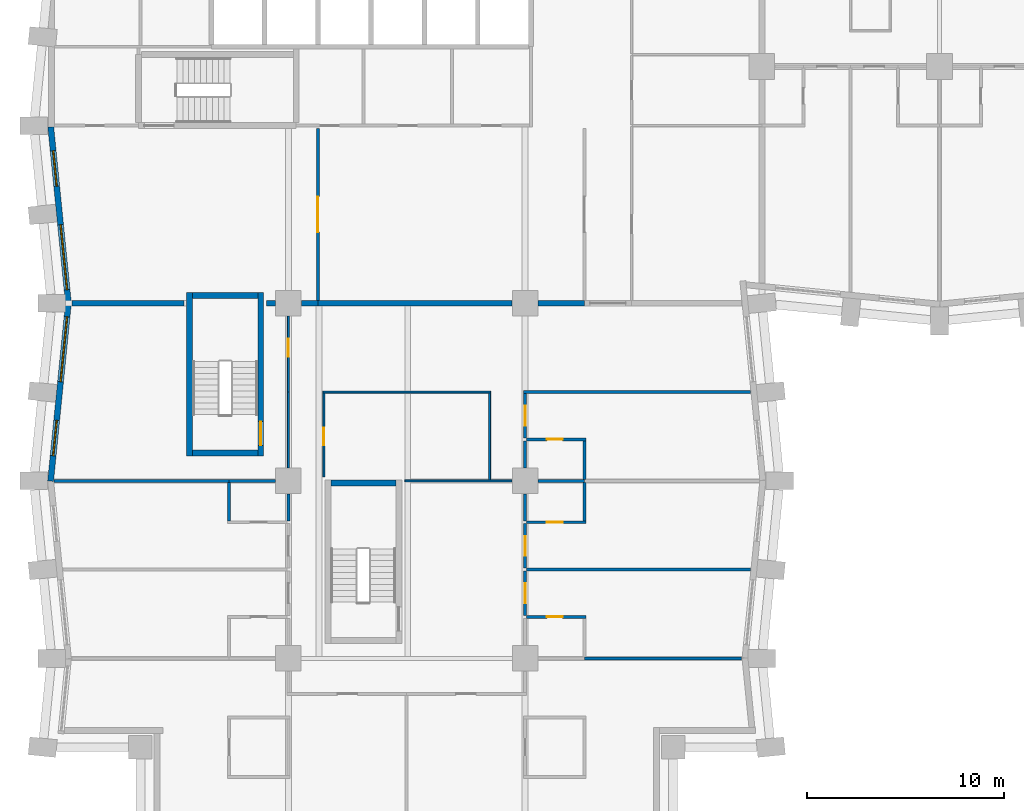
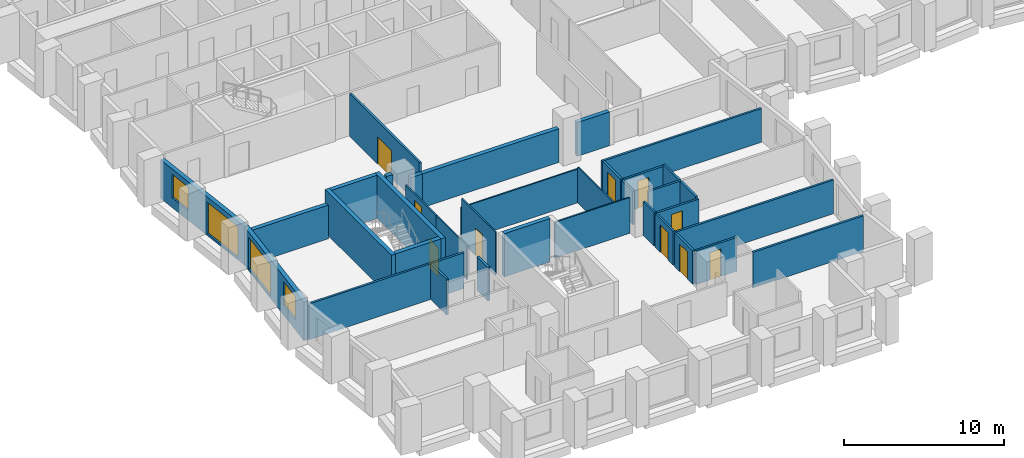
# One storey, part 4 of 13: 37 walls, 10 doors, 4 windows, 14 openings.
"""IFC4 building model written with IfcOpenShell, lengths in metres."""

from ifc_helpers import new_model, si_unit, direction, frame, frame_2d, origin, place, context, subcontext, project, spatial, rectangle, extrude, material, layer, layer_set, type_object, element, fill, save


model = new_model("IFC4")

# Units and contexts
model_context = context("Model", 3, precision=1e-05, world=origin(), true_north=direction((0.0, 1.0)))
body_context = subcontext(model_context, "Body", "Model", "MODEL_VIEW")
ifc_project = project(units=[si_unit("LENGTHUNIT", "METRE"), si_unit("AREAUNIT", "SQUARE_METRE"), si_unit("VOLUMEUNIT", "CUBIC_METRE"), si_unit("PLANEANGLEUNIT", "RADIAN"), si_unit("MASSUNIT", "GRAM", prefix="KILO")], contexts=[model_context])

# Site, building, storey
site_placement = place(None, origin())
site = spatial("IfcSite", under=ifc_project, at=site_placement, CompositionType="ELEMENT")
building_placement = place(site_placement, origin())
building = spatial("IfcBuilding", under=site, at=building_placement, Name="Brondeck Convention Tower", CompositionType="ELEMENT")
storey_placement = place(building_placement, frame((0.0, 0.0, 44.699951171875)))
storey = spatial("IfcBuildingStorey", under=building, at=storey_placement, Name="L08", CompositionType="ELEMENT", Elevation=44.699951171875)

# Walls
ifc_material_1 = material(Name="Concrete compartment wall C30/37", Category="concrete")
ifc_layer_1 = layer(ifc_material_1, 0.300048828125)
ifc_layer_set_1 = layer_set([ifc_layer_1], Name="Compartment wall 300")
wall_type_1 = type_object("IfcWallType", Name="Compartment wall 300", PredefinedType="PARTITIONING", material=ifc_layer_set_1)
wall_1_placement = place(storey_placement, frame((6.699951171875, 27.0, 0.0), z_axis=(0.0, 0.0, 1.0), x_axis=(-1.0, 0.0, 0.0)))
element("IfcWall", 1, at=wall_1_placement, inside=storey, type_object=wall_type_1, Name="FLR-L08-W051", PredefinedType="PARTITIONING", context=body_context, shape_type="SweptSolid", body=[
    extrude(rectangle(XDim=5.675048828125, YDim=0.300048828125, at=frame_2d((2.83740234375, 0.0))), origin(), (0.0, 0.0, 1.0), 2.580078125),
])
wall_2_placement = place(storey_placement, frame((11.344970703125, 27.0, 0.0), z_axis=(0.0, 0.0, 1.0), x_axis=(-1.0, 0.0, 0.0)))
element("IfcWall", 2, at=wall_2_placement, inside=storey, type_object=wall_type_1, Name="FLR-L08-W052", PredefinedType="PARTITIONING", context=body_context, shape_type="SweptSolid", body=[
    extrude(rectangle(XDim=0.445068359375, YDim=0.300048828125, at=frame_2d((0.22265625, 0.0))), origin(), (0.0, 0.0, 1.0), 3.280029296875),
])
wall_3_placement = place(storey_placement, frame((13.5, 27.0, 0.0), z_axis=(0.0, 0.0, 1.0), x_axis=(-1.0, 0.0, 0.0)))
element("IfcWall", 3, at=wall_3_placement, inside=storey, type_object=wall_type_1, Name="FLR-L08-W053", PredefinedType="PARTITIONING", context=body_context, shape_type="SweptSolid", body=[
    extrude(rectangle(XDim=0.844970703125, YDim=0.300048828125, at=frame_2d((0.42236328125, 0.0))), origin(), (0.0, 0.0, 1.0), 2.580078125),
])
wall_4_placement = place(storey_placement, frame((23.344970703125, 27.0, 0.0), z_axis=(0.0, 0.0, 1.0), x_axis=(-1.0, 0.0, 0.0)))
element("IfcWall", 4, at=wall_4_placement, inside=storey, type_object=wall_type_1, Name="FLR-L08-W054", PredefinedType="PARTITIONING", context=body_context, shape_type="SweptSolid", body=[
    extrude(rectangle(XDim=9.844970703125, YDim=0.300048828125, at=frame_2d((4.92236328125, 0.0))), origin(), (0.0, 0.0, 1.0), 2.580078125),
])
wall_5_placement = place(storey_placement, frame((27.0, 27.0, 0.0), z_axis=(0.0, 0.0, 1.0), x_axis=(-1.0, 0.0, 0.0)))
element("IfcWall", 5, at=wall_5_placement, inside=storey, type_object=wall_type_1, Name="FLR-L08-W055", PredefinedType="PARTITIONING", context=body_context, shape_type="SweptSolid", body=[
    extrude(rectangle(XDim=2.344970703125, YDim=0.300048828125, at=frame_2d((1.17236328125, 0.0))), origin(), (0.0, 0.0, 1.0), 2.580078125),
])

# Wall, openings, windows
ifc_material_2 = material(Name="Precast concrete C50/60 bronze finish", Category="concrete")
ifc_layer_2 = layer(ifc_material_2, 0.070068359375, Name="Bronze precast facing")
ifc_material_3 = material(Name="Mineral wool")
ifc_layer_3 = layer(ifc_material_3, 0.159912109375, Name="Insulation")
ifc_material_4 = material(Name="Concrete C35/45", Category="concrete")
ifc_layer_4 = layer(ifc_material_4, 0.070068359375, Name="Backing")
ifc_layer_set_2 = layer_set([ifc_layer_2, ifc_layer_3, ifc_layer_4], Name="External infill wall, precast concrete C50/60 bronze facing")
wall_type_2 = type_object("IfcWallType", Name="External infill wall, precast concrete C50/60 bronze facing", PredefinedType="SOLIDWALL", material=ifc_layer_set_2)
wall_6_placement = place(storey_placement, frame((0.855712890625, 26.985107421875, 0.0), z_axis=(0.0, 0.0, 1.0), x_axis=(-0.099503719021, 0.99503719021, 0.0)))
wall_6 = element("IfcWall", 6, at=wall_6_placement, inside=storey, type_object=wall_type_2, Name="ENV-EW-L08-P0-B-W-06", PredefinedType="SOLIDWALL", context=body_context, shape_type="SweptSolid", body=[
    extrude(rectangle(XDim=8.994873046875, YDim=0.300048828125, at=frame_2d((4.49755859375, 0.0))), origin(), (0.0, 0.0, 1.0), 2.949951171875),
])
opening_1_placement = place(wall_6_placement, frame((0.711181640625, 0.0, 0.14990234375)))
opening_1 = element("IfcOpeningElement", 7, at=opening_1_placement, cuts=wall_6, Name="Opening W9", PredefinedType="OPENING", context=body_context, shape_type="SweptSolid", body=[
    extrude(rectangle(XDim=3.300048828125, YDim=2.39990234375, at=frame_2d((1.64990234375, 1.199951171875))), frame((0.0, 0.159912109375, 0.0), z_axis=(0.0, -1.0, 0.0), x_axis=(1.0, 0.0, 0.0)), (0.0, 0.0, 1.0), 0.320068359375),
])
opening_2_placement = place(wall_6_placement, frame((5.983642578125, 0.0, 0.75)))
opening_2 = element("IfcOpeningElement", 8, at=opening_2_placement, cuts=wall_6, Name="Opening W10", PredefinedType="OPENING", context=body_context, shape_type="SweptSolid", body=[
    extrude(rectangle(XDim=1.800048828125, YDim=1.800048828125, at=frame_2d((0.89990234375, 0.89990234375))), frame((0.0, 0.159912109375, 0.0), z_axis=(0.0, -1.0, 0.0), x_axis=(1.0, 0.0, 0.0)), (0.0, 0.0, 1.0), 0.320068359375),
])
ifc_material_5 = material(Name="Bronze tinted double glazing", Category="glass")
window_type_1 = type_object("IfcWindowType", Name="Glazed flute window, bronze tinted", PartitioningType="SINGLE_PANEL", PredefinedType="WINDOW", material=ifc_material_5)
window_1_placement = place(opening_1_placement, origin())
window_1 = element("IfcWindow", 9, at=window_1_placement, inside=storey, type_object=window_type_1, Name="ENV-WN-L08-P0-B-W-07", OverallHeight=2.39990234375, OverallWidth=3.300048828125, PartitioningType="SINGLE_PANEL", PredefinedType="WINDOW", context=body_context, shape_type="SweptSolid", body=[
    extrude(rectangle(XDim=3.300048828125, YDim=2.39990234375, at=frame_2d((1.64990234375, 1.199951171875))), frame((0.0, 0.030029296875, 0.0), z_axis=(0.0, -1.0, 0.0), x_axis=(1.0, 0.0, 0.0)), (0.0, 0.0, 1.0), 0.06005859375),
])
fill(opening_1, window_1)
window_type_2 = type_object("IfcWindowType", Name="Punched window, bronze tinted", PartitioningType="SINGLE_PANEL", PredefinedType="WINDOW", material=ifc_material_5)
window_2_placement = place(opening_2_placement, origin())
window_2 = element("IfcWindow", 10, at=window_2_placement, inside=storey, type_object=window_type_2, Name="ENV-WN-L08-P0-B-W-06", OverallHeight=1.800048828125, OverallWidth=1.800048828125, PartitioningType="SINGLE_PANEL", PredefinedType="WINDOW", context=body_context, shape_type="SweptSolid", body=[
    extrude(rectangle(XDim=1.800048828125, YDim=1.800048828125, at=frame_2d((0.89990234375, 0.89990234375))), frame((0.0, 0.030029296875, 0.0), z_axis=(0.0, -1.0, 0.0), x_axis=(1.0, 0.0, 0.0)), (0.0, 0.0, 1.0), 0.06005859375),
])
fill(opening_2, window_2)

wall_7_placement = place(storey_placement, frame((-0.04736328125, 17.985107421875, 0.0), z_axis=(0.0, 0.0, 1.0), x_axis=(0.099522457379, 0.995035316196, 0.0)))
wall_7 = element("IfcWall", 11, at=wall_7_placement, inside=storey, type_object=wall_type_2, Name="ENV-EW-L08-P0-B-W-08", PredefinedType="SOLIDWALL", context=body_context, shape_type="SweptSolid", body=[
    extrude(rectangle(XDim=9.030029296875, YDim=0.300048828125, at=frame_2d((4.51513671875, 0.0))), origin(), (0.0, 0.0, 1.0), 2.949951171875),
])
opening_3_placement = place(wall_7_placement, frame((1.291259765625, 0.0, 0.75)))
opening_3 = element("IfcOpeningElement", 12, at=opening_3_placement, cuts=wall_7, Name="Opening W10", PredefinedType="OPENING", context=body_context, shape_type="SweptSolid", body=[
    extrude(rectangle(XDim=1.800048828125, YDim=1.800048828125, at=frame_2d((0.89990234375, 0.89990234375))), frame((0.0, 0.159912109375, 0.0), z_axis=(0.0, -1.0, 0.0), x_axis=(1.0, 0.0, 0.0)), (0.0, 0.0, 1.0), 0.320068359375),
])
opening_4_placement = place(wall_7_placement, frame((5.063720703125, 0.0, 0.14990234375)))
opening_4 = element("IfcOpeningElement", 13, at=opening_4_placement, cuts=wall_7, Name="Opening W9", PredefinedType="OPENING", context=body_context, shape_type="SweptSolid", body=[
    extrude(rectangle(XDim=3.300048828125, YDim=2.39990234375, at=frame_2d((1.64990234375, 1.199951171875))), frame((0.0, 0.159912109375, 0.0), z_axis=(0.0, -1.0, 0.0), x_axis=(1.0, 0.0, 0.0)), (0.0, 0.0, 1.0), 0.320068359375),
])
window_3_placement = place(opening_4_placement, origin())
window_3 = element("IfcWindow", 14, at=window_3_placement, inside=storey, type_object=window_type_1, Name="ENV-WN-L08-P0-B-W-08", OverallHeight=2.39990234375, OverallWidth=3.300048828125, PartitioningType="SINGLE_PANEL", PredefinedType="WINDOW", context=body_context, shape_type="SweptSolid", body=[
    extrude(rectangle(XDim=3.300048828125, YDim=2.39990234375, at=frame_2d((1.64990234375, 1.199951171875))), frame((0.0, 0.030029296875, 0.0), z_axis=(0.0, -1.0, 0.0), x_axis=(1.0, 0.0, 0.0)), (0.0, 0.0, 1.0), 0.06005859375),
])
fill(opening_4, window_3)
window_4_placement = place(opening_3_placement, origin())
window_4 = element("IfcWindow", 15, at=window_4_placement, inside=storey, type_object=window_type_2, Name="ENV-WN-L08-P0-B-W-09", OverallHeight=1.800048828125, OverallWidth=1.800048828125, PartitioningType="SINGLE_PANEL", PredefinedType="WINDOW", context=body_context, shape_type="SweptSolid", body=[
    extrude(rectangle(XDim=1.800048828125, YDim=1.800048828125, at=frame_2d((0.89990234375, 0.89990234375))), frame((0.0, 0.030029296875, 0.0), z_axis=(0.0, -1.0, 0.0), x_axis=(1.0, 0.0, 0.0)), (0.0, 0.0, 1.0), 0.06005859375),
])
fill(opening_3, window_4)

# Wall
ifc_material_6 = material(Name="Double gypsum board acoustic wall")
ifc_layer_5 = layer(ifc_material_6, 0.14990234375)
ifc_layer_set_3 = layer_set([ifc_layer_5], Name="Guest room party wall 150")
wall_type_3 = type_object("IfcWallType", Name="Guest room party wall 150", PredefinedType="PARTITIONING", material=ifc_layer_set_3)
wall_8_placement = place(storey_placement, frame((34.97509765625, 9.0, 0.0), z_axis=(0.0, 0.0, 1.0), x_axis=(-1.0, 0.0, 0.0)))
element("IfcWall", 16, at=wall_8_placement, inside=storey, type_object=wall_type_3, Name="FLR-L08-W017", PredefinedType="PARTITIONING", context=body_context, shape_type="SweptSolid", body=[
    extrude(rectangle(XDim=7.97509765625, YDim=0.14990234375, at=frame_2d((3.987548828125, 0.0))), origin(), (0.0, 0.0, 1.0), 2.72998046875),
])

# Wall, opening, door
wall_9_placement = place(storey_placement, frame((27.074951171875, 11.10009765625, 0.0), z_axis=(0.0, 0.0, 1.0), x_axis=(-1.0, 0.0, 0.0)))
wall_9 = element("IfcWall", 17, at=wall_9_placement, inside=storey, type_object=wall_type_3, Name="FLR-L08-W023", PredefinedType="PARTITIONING", context=body_context, shape_type="SweptSolid", body=[
    extrude(rectangle(XDim=3.0, YDim=0.14990234375, at=frame_2d((1.5, 0.0))), origin(), (0.0, 0.0, 1.0), 2.580078125),
])
opening_5_placement = place(wall_9_placement, frame((1.175048828125, 0.0, 0.0)))
opening_5 = element("IfcOpeningElement", 18, at=opening_5_placement, cuts=wall_9, Name="Opening H1-040", PredefinedType="OPENING", context=body_context, shape_type="SweptSolid", body=[
    extrude(rectangle(XDim=0.800048828125, YDim=2.10009765625, at=frame_2d((0.39990234375, 1.050048828125))), frame((0.0, 0.0849609375, 0.0), z_axis=(0.0, -1.0, 0.0), x_axis=(1.0, 0.0, 0.0)), (0.0, 0.0, 1.0), 0.169921875),
])
ifc_material_7 = material(Name="Solid timber door leaf", Category="wood")
door_type_1 = type_object("IfcDoorType", Name="En-suite door 800", OperationType="NOTDEFINED", PredefinedType="DOOR", material=ifc_material_7)
door_1_placement = place(opening_5_placement, origin())
door_1 = element("IfcDoor", 19, at=door_1_placement, inside=storey, type_object=door_type_1, Name="Door H1-040", OperationType="SINGLE_SWING_LEFT", OverallHeight=2.10009765625, OverallWidth=0.800048828125, PredefinedType="DOOR", context=body_context, shape_type="SweptSolid", body=[
    extrude(rectangle(XDim=0.800048828125, YDim=2.10009765625, at=frame_2d((0.39990234375, 1.050048828125))), frame((0.0, 0.02490234375, 0.0), z_axis=(0.0, -1.0, 0.0), x_axis=(1.0, 0.0, 0.0)), (0.0, 0.0, 1.0), 0.050048828125),
])
fill(opening_5, door_1)

wall_10_placement = place(storey_placement, frame((24.0, 13.425048828125, 0.0), z_axis=(0.0, 0.0, 1.0), x_axis=(0.0, -1.0, 0.0)))
wall_10 = element("IfcWall", 20, at=wall_10_placement, inside=storey, type_object=wall_type_3, Name="FLR-L08-W025", PredefinedType="PARTITIONING", context=body_context, shape_type="SweptSolid", body=[
    extrude(rectangle(XDim=2.25, YDim=0.14990234375, at=frame_2d((1.125, 0.0))), origin(), (0.0, 0.0, 1.0), 2.580078125),
])
opening_6_placement = place(wall_10_placement, frame((0.625, 0.0, 0.0)))
opening_6 = element("IfcOpeningElement", 21, at=opening_6_placement, cuts=wall_10, Name="Opening H1-039", PredefinedType="OPENING", context=body_context, shape_type="SweptSolid", body=[
    extrude(rectangle(XDim=1.0, YDim=2.10009765625, at=frame_2d((0.5, 1.050048828125))), frame((0.0, 0.0849609375, 0.0), z_axis=(0.0, -1.0, 0.0), x_axis=(1.0, 0.0, 0.0)), (0.0, 0.0, 1.0), 0.169921875),
])
ifc_material_8 = material(Name="Solid timber fire door leaf", Category="wood")
door_type_2 = type_object("IfcDoorType", Name="Guest room door 1000", OperationType="NOTDEFINED", PredefinedType="DOOR", material=ifc_material_8)
door_2_placement = place(opening_6_placement, origin())
door_2 = element("IfcDoor", 22, at=door_2_placement, inside=storey, type_object=door_type_2, Name="Door H1-039", OperationType="SINGLE_SWING_LEFT", OverallHeight=2.10009765625, OverallWidth=1.0, PredefinedType="DOOR", context=body_context, shape_type="SweptSolid", body=[
    extrude(rectangle(XDim=1.0, YDim=2.10009765625, at=frame_2d((0.5, 1.050048828125))), frame((0.0, 0.02490234375, 0.0), z_axis=(0.0, -1.0, 0.0), x_axis=(1.0, 0.0, 0.0)), (0.0, 0.0, 1.0), 0.050048828125),
])
fill(opening_6, door_2)

# Wall
wall_11_placement = place(storey_placement, frame((35.425048828125, 13.5, 0.0), z_axis=(0.0, 0.0, 1.0), x_axis=(-1.0, 0.0, 0.0)))
element("IfcWall", 23, at=wall_11_placement, inside=storey, type_object=wall_type_3, Name="FLR-L08-W027", PredefinedType="PARTITIONING", context=body_context, shape_type="SweptSolid", body=[
    extrude(rectangle(XDim=11.35009765625, YDim=0.14990234375, at=frame_2d((5.675048828125, 0.0))), origin(), (0.0, 0.0, 1.0), 2.580078125),
])

# Wall, opening, door
wall_12_placement = place(storey_placement, frame((24.0, 15.824951171875, 0.0), z_axis=(0.0, 0.0, 1.0), x_axis=(0.0, -1.0, 0.0)))
wall_12 = element("IfcWall", 24, at=wall_12_placement, inside=storey, type_object=wall_type_3, Name="FLR-L08-W029", PredefinedType="PARTITIONING", context=body_context, shape_type="SweptSolid", body=[
    extrude(rectangle(XDim=2.25, YDim=0.14990234375, at=frame_2d((1.125, 0.0))), origin(), (0.0, 0.0, 1.0), 2.580078125),
])
opening_7_placement = place(wall_12_placement, frame((0.625, 0.0, 0.0)))
opening_7 = element("IfcOpeningElement", 25, at=opening_7_placement, cuts=wall_12, Name="Opening H1-037", PredefinedType="OPENING", context=body_context, shape_type="SweptSolid", body=[
    extrude(rectangle(XDim=1.0, YDim=2.10009765625, at=frame_2d((0.5, 1.050048828125))), frame((0.0, 0.0849609375, 0.0), z_axis=(0.0, -1.0, 0.0), x_axis=(1.0, 0.0, 0.0)), (0.0, 0.0, 1.0), 0.169921875),
])
door_3_placement = place(opening_7_placement, origin())
door_3 = element("IfcDoor", 26, at=door_3_placement, inside=storey, type_object=door_type_2, Name="Door H1-037", OperationType="SINGLE_SWING_LEFT", OverallHeight=2.10009765625, OverallWidth=1.0, PredefinedType="DOOR", context=body_context, shape_type="SweptSolid", body=[
    extrude(rectangle(XDim=1.0, YDim=2.10009765625, at=frame_2d((0.5, 1.050048828125))), frame((0.0, 0.02490234375, 0.0), z_axis=(0.0, -1.0, 0.0), x_axis=(1.0, 0.0, 0.0)), (0.0, 0.0, 1.0), 0.050048828125),
])
fill(opening_7, door_3)

wall_13_placement = place(storey_placement, frame((24.074951171875, 15.89990234375, 0.0), z_axis=(0.0, 0.0, 1.0), x_axis=(1.0, 0.0, 0.0)))
wall_13 = element("IfcWall", 27, at=wall_13_placement, inside=storey, type_object=wall_type_3, Name="FLR-L08-W031", PredefinedType="PARTITIONING", context=body_context, shape_type="SweptSolid", body=[
    extrude(rectangle(XDim=3.0, YDim=0.14990234375, at=frame_2d((1.5, 0.0))), origin(), (0.0, 0.0, 1.0), 2.580078125),
])
opening_8_placement = place(wall_13_placement, frame((1.02490234375, 0.0, 0.0)))
opening_8 = element("IfcOpeningElement", 28, at=opening_8_placement, cuts=wall_13, Name="Opening H1-038", PredefinedType="OPENING", context=body_context, shape_type="SweptSolid", body=[
    extrude(rectangle(XDim=0.800048828125, YDim=2.10009765625, at=frame_2d((0.39990234375, 1.050048828125))), frame((0.0, 0.0849609375, 0.0), z_axis=(0.0, -1.0, 0.0), x_axis=(1.0, 0.0, 0.0)), (0.0, 0.0, 1.0), 0.169921875),
])
door_4_placement = place(opening_8_placement, origin())
door_4 = element("IfcDoor", 29, at=door_4_placement, inside=storey, type_object=door_type_1, Name="Door H1-038", OperationType="SINGLE_SWING_LEFT", OverallHeight=2.10009765625, OverallWidth=0.800048828125, PredefinedType="DOOR", context=body_context, shape_type="SweptSolid", body=[
    extrude(rectangle(XDim=0.800048828125, YDim=2.10009765625, at=frame_2d((0.39990234375, 1.050048828125))), frame((0.0, 0.02490234375, 0.0), z_axis=(0.0, -1.0, 0.0), x_axis=(1.0, 0.0, 0.0)), (0.0, 0.0, 1.0), 0.050048828125),
])
fill(opening_8, door_4)

# Walls
wall_14_placement = place(storey_placement, frame((12.0, 15.97509765625, 0.0), z_axis=(0.0, 0.0, 1.0), x_axis=(0.0, 1.0, 0.0)))
element("IfcWall", 30, at=wall_14_placement, inside=storey, type_object=wall_type_3, Name="FLR-L08-W032", PredefinedType="PARTITIONING", context=body_context, shape_type="SweptSolid", body=[
    extrude(rectangle(XDim=1.369873046875, YDim=0.14990234375, at=frame_2d((0.68505859375, 0.0))), origin(), (0.0, 0.0, 1.0), 2.580078125),
])
wall_15_placement = place(storey_placement, frame((27.0, 15.97509765625, 0.0), z_axis=(0.0, 0.0, 1.0), x_axis=(0.0, 1.0, 0.0)))
element("IfcWall", 31, at=wall_15_placement, inside=storey, type_object=wall_type_3, Name="FLR-L08-W033", PredefinedType="PARTITIONING", context=body_context, shape_type="SweptSolid", body=[
    extrude(rectangle(XDim=1.949951171875, YDim=0.14990234375, at=frame_2d((0.97509765625, 0.0))), origin(), (0.0, 0.0, 1.0), 2.72998046875),
])
wall_16_placement = place(storey_placement, frame((24.0, 17.344970703125, 0.0), z_axis=(0.0, 0.0, 1.0), x_axis=(0.0, -1.0, 0.0)))
element("IfcWall", 32, at=wall_16_placement, inside=storey, type_object=wall_type_3, Name="FLR-L08-W034", PredefinedType="PARTITIONING", context=body_context, shape_type="SweptSolid", body=[
    extrude(rectangle(XDim=1.369873046875, YDim=0.14990234375, at=frame_2d((0.68505859375, 0.0))), origin(), (0.0, 0.0, 1.0), 2.580078125),
])
wall_17_placement = place(storey_placement, frame((9.0, 17.925048828125, 0.0), z_axis=(0.0, 0.0, 1.0), x_axis=(0.0, -1.0, 0.0)))
element("IfcWall", 33, at=wall_17_placement, inside=storey, type_object=wall_type_3, Name="FLR-L08-W035", PredefinedType="PARTITIONING", context=body_context, shape_type="SweptSolid", body=[
    extrude(rectangle(XDim=1.949951171875, YDim=0.14990234375, at=frame_2d((0.97509765625, 0.0))), origin(), (0.0, 0.0, 1.0), 2.72998046875),
])
wall_18_placement = place(storey_placement, frame((9.0, 18.0, 0.0), z_axis=(0.0, 0.0, 1.0), x_axis=(-1.0, 0.0, 0.0)))
element("IfcWall", 34, at=wall_18_placement, inside=storey, type_object=wall_type_3, Name="FLR-L08-W036", PredefinedType="PARTITIONING", context=body_context, shape_type="SweptSolid", body=[
    extrude(rectangle(XDim=8.875, YDim=0.14990234375, at=frame_2d((4.4375, 0.0))), origin(), (0.0, 0.0, 1.0), 2.72998046875),
])
for number, where, z_axis, x_axis, name in (
    (35, (11.344970703125, 18.0, 0.0), (0.0, 0.0, 1.0), (-1.0, 0.0, 0.0), "FLR-L08-W037"),
    (36, (27.0, 18.0, 0.0), (0.0, 0.0, 1.0), (-1.0, 0.0, 0.0), "FLR-L08-W039"),
):
    element("IfcWall", number, at=place(storey_placement, frame(where, z_axis=z_axis, x_axis=x_axis)), inside=storey, type_object=wall_type_3, Name=name, PredefinedType="PARTITIONING", context=body_context, shape_type="SweptSolid", body=[
        extrude(rectangle(XDim=2.344970703125, YDim=0.14990234375, at=frame_2d((1.17236328125, 0.0))), origin(), (0.0, 0.0, 1.0), 2.72998046875),
    ])
wall_19_placement = place(storey_placement, frame((27.0, 18.074951171875, 0.0), z_axis=(0.0, 0.0, 1.0), x_axis=(0.0, 1.0, 0.0)))
element("IfcWall", 37, at=wall_19_placement, inside=storey, type_object=wall_type_3, Name="FLR-L08-W042", PredefinedType="PARTITIONING", context=body_context, shape_type="SweptSolid", body=[
    extrude(rectangle(XDim=1.949951171875, YDim=0.14990234375, at=frame_2d((0.97509765625, 0.0))), origin(), (0.0, 0.0, 1.0), 2.72998046875),
])
wall_20_placement = place(storey_placement, frame((24.0, 20.02490234375, 0.0), z_axis=(0.0, 0.0, 1.0), x_axis=(0.0, -1.0, 0.0)))
element("IfcWall", 38, at=wall_20_placement, inside=storey, type_object=wall_type_3, Name="FLR-L08-W043", PredefinedType="PARTITIONING", context=body_context, shape_type="SweptSolid", body=[
    extrude(rectangle(XDim=1.369873046875, YDim=0.14990234375, at=frame_2d((0.68505859375, 0.0))), origin(), (0.0, 0.0, 1.0), 2.580078125),
])

# Wall, opening, door
wall_21_placement = place(storey_placement, frame((27.074951171875, 20.10009765625, 0.0), z_axis=(0.0, 0.0, 1.0), x_axis=(-1.0, 0.0, 0.0)))
wall_21 = element("IfcWall", 39, at=wall_21_placement, inside=storey, type_object=wall_type_3, Name="FLR-L08-W044", PredefinedType="PARTITIONING", context=body_context, shape_type="SweptSolid", body=[
    extrude(rectangle(XDim=3.0, YDim=0.14990234375, at=frame_2d((1.5, 0.0))), origin(), (0.0, 0.0, 1.0), 2.580078125),
])
opening_9_placement = place(wall_21_placement, frame((1.175048828125, 0.0, 0.0)))
opening_9 = element("IfcOpeningElement", 40, at=opening_9_placement, cuts=wall_21, Name="Opening H1-036", PredefinedType="OPENING", context=body_context, shape_type="SweptSolid", body=[
    extrude(rectangle(XDim=0.800048828125, YDim=2.10009765625, at=frame_2d((0.39990234375, 1.050048828125))), frame((0.0, 0.0849609375, 0.0), z_axis=(0.0, -1.0, 0.0), x_axis=(1.0, 0.0, 0.0)), (0.0, 0.0, 1.0), 0.169921875),
])
door_5_placement = place(opening_9_placement, origin())
door_5 = element("IfcDoor", 41, at=door_5_placement, inside=storey, type_object=door_type_1, Name="Door H1-036", OperationType="SINGLE_SWING_LEFT", OverallHeight=2.10009765625, OverallWidth=0.800048828125, PredefinedType="DOOR", context=body_context, shape_type="SweptSolid", body=[
    extrude(rectangle(XDim=0.800048828125, YDim=2.10009765625, at=frame_2d((0.39990234375, 1.050048828125))), frame((0.0, 0.02490234375, 0.0), z_axis=(0.0, -1.0, 0.0), x_axis=(1.0, 0.0, 0.0)), (0.0, 0.0, 1.0), 0.050048828125),
])
fill(opening_9, door_5)

wall_22_placement = place(storey_placement, frame((24.0, 22.425048828125, 0.0), z_axis=(0.0, 0.0, 1.0), x_axis=(0.0, -1.0, 0.0)))
wall_22 = element("IfcWall", 42, at=wall_22_placement, inside=storey, type_object=wall_type_3, Name="FLR-L08-W045", PredefinedType="PARTITIONING", context=body_context, shape_type="SweptSolid", body=[
    extrude(rectangle(XDim=2.25, YDim=0.14990234375, at=frame_2d((1.125, 0.0))), origin(), (0.0, 0.0, 1.0), 2.580078125),
])
opening_10_placement = place(wall_22_placement, frame((0.625, 0.0, 0.0)))
opening_10 = element("IfcOpeningElement", 43, at=opening_10_placement, cuts=wall_22, Name="Opening H1-035", PredefinedType="OPENING", context=body_context, shape_type="SweptSolid", body=[
    extrude(rectangle(XDim=1.0, YDim=2.10009765625, at=frame_2d((0.5, 1.050048828125))), frame((0.0, 0.0849609375, 0.0), z_axis=(0.0, -1.0, 0.0), x_axis=(1.0, 0.0, 0.0)), (0.0, 0.0, 1.0), 0.169921875),
])
door_6_placement = place(opening_10_placement, origin())
door_6 = element("IfcDoor", 44, at=door_6_placement, inside=storey, type_object=door_type_2, Name="Door H1-035", OperationType="SINGLE_SWING_LEFT", OverallHeight=2.10009765625, OverallWidth=1.0, PredefinedType="DOOR", context=body_context, shape_type="SweptSolid", body=[
    extrude(rectangle(XDim=1.0, YDim=2.10009765625, at=frame_2d((0.5, 1.050048828125))), frame((0.0, 0.02490234375, 0.0), z_axis=(0.0, -1.0, 0.0), x_axis=(1.0, 0.0, 0.0)), (0.0, 0.0, 1.0), 0.050048828125),
])
fill(opening_10, door_6)

# Wall
wall_23_placement = place(storey_placement, frame((35.425048828125, 22.5, 0.0), z_axis=(0.0, 0.0, 1.0), x_axis=(-1.0, 0.0, 0.0)))
element("IfcWall", 45, at=wall_23_placement, inside=storey, type_object=wall_type_3, Name="FLR-L08-W050", PredefinedType="PARTITIONING", context=body_context, shape_type="SweptSolid", body=[
    extrude(rectangle(XDim=11.5, YDim=0.14990234375, at=frame_2d((5.75, 0.0))), origin(), (0.0, 0.0, 1.0), 2.580078125),
])

# Wall, opening, door
wall_24_placement = place(storey_placement, frame((13.5, 27.14990234375, 0.0), z_axis=(0.0, 0.0, 1.0), x_axis=(0.0, 1.0, 0.0)))
wall_24 = element("IfcWall", 46, at=wall_24_placement, inside=storey, type_object=wall_type_3, Name="FLR-L08-W059", PredefinedType="PARTITIONING", context=body_context, shape_type="SweptSolid", body=[
    extrude(rectangle(XDim=8.7001953125, YDim=0.14990234375, at=frame_2d((4.35009765625, 0.0))), origin(), (0.0, 0.0, 1.0), 3.280029296875),
])
opening_11_placement = place(wall_24_placement, frame((3.449951171875, 0.0, 0.0)))
opening_11 = element("IfcOpeningElement", 47, at=opening_11_placement, cuts=wall_24, Name="Opening H1-053", PredefinedType="OPENING", context=body_context, shape_type="SweptSolid", body=[
    extrude(rectangle(XDim=1.800048828125, YDim=2.10009765625, at=frame_2d((0.89990234375, 1.050048828125))), frame((0.0, 0.0849609375, 0.0), z_axis=(0.0, -1.0, 0.0), x_axis=(1.0, 0.0, 0.0)), (0.0, 0.0, 1.0), 0.169921875),
])
ifc_material_9 = material(Name="Glazed timber double door", Category="wood")
door_type_3 = type_object("IfcDoorType", Name="Double door 1800", OperationType="DOUBLE_DOOR_SINGLE_SWING", PredefinedType="DOOR", material=ifc_material_9)
door_7_placement = place(opening_11_placement, origin())
door_7 = element("IfcDoor", 48, at=door_7_placement, inside=storey, type_object=door_type_3, Name="Door H1-053", OperationType="DOUBLE_DOOR_SINGLE_SWING", OverallHeight=2.10009765625, OverallWidth=1.800048828125, PredefinedType="DOOR", context=body_context, shape_type="SweptSolid", body=[
    extrude(rectangle(XDim=1.800048828125, YDim=2.10009765625, at=frame_2d((0.89990234375, 1.050048828125))), frame((0.0, 0.02490234375, 0.0), z_axis=(0.0, -1.0, 0.0), x_axis=(1.0, 0.0, 0.0)), (0.0, 0.0, 1.0), 0.050048828125),
])
fill(opening_11, door_7)

# Walls
ifc_material_10 = material(Name="Gypsum board partition on steel studs", Category="steel")
ifc_layer_6 = layer(ifc_material_10, 0.10009765625)
ifc_layer_set_4 = layer_set([ifc_layer_6], Name="Room partition 100")
wall_type_4 = type_object("IfcWallType", Name="Room partition 100", PredefinedType="PARTITIONING", material=ifc_layer_set_4)
wall_25_placement = place(storey_placement, frame((23.330078125, 18.0, 0.0), z_axis=(0.0, 0.0, 1.0), x_axis=(-1.0, 0.0, 0.0)))
element("IfcWall", 49, at=wall_25_placement, inside=storey, type_object=wall_type_4, Name="FLR-L08-W038", PredefinedType="PARTITIONING", context=body_context, shape_type="SweptSolid", body=[
    extrude(rectangle(XDim=5.43017578125, YDim=0.10009765625, at=frame_2d((2.715087890625, 0.0))), origin(), (0.0, 0.0, 1.0), 2.72998046875),
])
wall_26_placement = place(storey_placement, frame((22.199951171875, 18.050048828125, 0.0), z_axis=(0.0, 0.0, 1.0), x_axis=(0.0, 1.0, 0.0)))
element("IfcWall", 50, at=wall_26_placement, inside=storey, type_object=wall_type_4, Name="FLR-L08-W041", PredefinedType="PARTITIONING", context=body_context, shape_type="SweptSolid", body=[
    extrude(rectangle(XDim=4.39990234375, YDim=0.10009765625, at=frame_2d((2.199951171875, 0.0))), origin(), (0.0, 0.0, 1.0), 2.72998046875),
])

# Wall, opening, door
wall_27_placement = place(storey_placement, frame((13.800048828125, 22.449951171875, 0.0), z_axis=(0.0, 0.0, 1.0), x_axis=(0.0, -1.0, 0.0)))
wall_27 = element("IfcWall", 51, at=wall_27_placement, inside=storey, type_object=wall_type_4, Name="FLR-L08-W046", PredefinedType="PARTITIONING", context=body_context, shape_type="SweptSolid", body=[
    extrude(rectangle(XDim=4.25, YDim=0.10009765625, at=frame_2d((2.125, 0.0))), origin(), (0.0, 0.0, 1.0), 3.280029296875),
])
opening_12_placement = place(wall_27_placement, frame((1.75, 0.0, 0.0)))
opening_12 = element("IfcOpeningElement", 52, at=opening_12_placement, cuts=wall_27, Name="Opening H1-041", PredefinedType="OPENING", context=body_context, shape_type="SweptSolid", body=[
    extrude(rectangle(XDim=0.89990234375, YDim=2.10009765625, at=frame_2d((0.449951171875, 1.050048828125))), frame((0.0, 0.06005859375, 0.0), z_axis=(0.0, -1.0, 0.0), x_axis=(1.0, 0.0, 0.0)), (0.0, 0.0, 1.0), 0.1201171875),
])
door_type_4 = type_object("IfcDoorType", Name="Single door 900", OperationType="NOTDEFINED", PredefinedType="DOOR", material=ifc_material_7)
door_8_placement = place(opening_12_placement, origin())
door_8 = element("IfcDoor", 53, at=door_8_placement, inside=storey, type_object=door_type_4, Name="Door H1-041", OperationType="SINGLE_SWING_LEFT", OverallHeight=2.10009765625, OverallWidth=0.89990234375, PredefinedType="DOOR", context=body_context, shape_type="SweptSolid", body=[
    extrude(rectangle(XDim=0.89990234375, YDim=2.10009765625, at=frame_2d((0.449951171875, 1.050048828125))), frame((0.0, 0.02490234375, 0.0), z_axis=(0.0, -1.0, 0.0), x_axis=(1.0, 0.0, 0.0)), (0.0, 0.0, 1.0), 0.050048828125),
])
fill(opening_12, door_8)

# Wall
wall_28_placement = place(storey_placement, frame((12.0, 22.5, 0.0), z_axis=(0.0, 0.0, 1.0), x_axis=(0.0, -1.0, 0.0)))
element("IfcWall", 54, at=wall_28_placement, inside=storey, type_object=wall_type_4, Name="FLR-L08-W047", PredefinedType="PARTITIONING", context=body_context, shape_type="SweptSolid", body=[
    extrude(rectangle(XDim=3.844970703125, YDim=0.10009765625, at=frame_2d((1.92236328125, 0.0))), origin(), (0.0, 0.0, 1.0), 2.580078125),
])

# Wall, opening, door
wall_29_placement = place(storey_placement, frame((12.0, 26.344970703125, 0.0), z_axis=(0.0, 0.0, 1.0), x_axis=(0.0, -1.0, 0.0)))
wall_29 = element("IfcWall", 55, at=wall_29_placement, inside=storey, type_object=wall_type_4, Name="FLR-L08-W048", PredefinedType="PARTITIONING", context=body_context, shape_type="SweptSolid", body=[
    extrude(rectangle(XDim=3.844970703125, YDim=0.10009765625, at=frame_2d((1.92236328125, 0.0))), origin(), (0.0, 0.0, 1.0), 2.580078125),
])
opening_13_placement = place(wall_29_placement, frame((1.14501953125, 0.0, 0.0)))
opening_13 = element("IfcOpeningElement", 56, at=opening_13_placement, cuts=wall_29, Name="Opening H1-030", PredefinedType="OPENING", context=body_context, shape_type="SweptSolid", body=[
    extrude(rectangle(XDim=0.89990234375, YDim=2.10009765625, at=frame_2d((0.449951171875, 1.050048828125))), frame((0.0, 0.06005859375, 0.0), z_axis=(0.0, -1.0, 0.0), x_axis=(1.0, 0.0, 0.0)), (0.0, 0.0, 1.0), 0.1201171875),
])
door_9_placement = place(opening_13_placement, origin())
door_9 = element("IfcDoor", 57, at=door_9_placement, inside=storey, type_object=door_type_4, Name="Door H1-030", OperationType="SINGLE_SWING_LEFT", OverallHeight=2.10009765625, OverallWidth=0.89990234375, PredefinedType="DOOR", context=body_context, shape_type="SweptSolid", body=[
    extrude(rectangle(XDim=0.89990234375, YDim=2.10009765625, at=frame_2d((0.449951171875, 1.050048828125))), frame((0.0, 0.02490234375, 0.0), z_axis=(0.0, -1.0, 0.0), x_axis=(1.0, 0.0, 0.0)), (0.0, 0.0, 1.0), 0.050048828125),
])
fill(opening_13, door_9)

# Walls
wall_30_placement = place(storey_placement, frame((22.25, 22.5, 0.0), z_axis=(0.0, 0.0, 1.0), x_axis=(-1.0, 0.0, 0.0)))
element("IfcWall", 58, at=wall_30_placement, inside=storey, type_object=wall_type_4, Name="FLR-L08-W049", PredefinedType="PARTITIONING", context=body_context, shape_type="SweptSolid", body=[
    extrude(rectangle(XDim=8.5, YDim=0.10009765625, at=frame_2d((4.25, 0.0))), origin(), (0.0, 0.0, 1.0), 2.580078125),
])
ifc_material_11 = material(Name="Concrete C80/95", Category="concrete")
ifc_layer_7 = layer(ifc_material_11, 0.300048828125)
ifc_layer_set_5 = layer_set([ifc_layer_7], Name="Stair enclosure wall 300 Concrete C80/95")
wall_type_5 = type_object("IfcWallType", Name="Stair enclosure wall 300 Concrete C80/95", PredefinedType="SHEAR", material=ifc_layer_set_5)
for number, where, z_axis, x_axis, name in (
    (59, (14.14990234375, 17.89990234375, 0.0), (0.0, 0.0, 1.0), (1.0, 0.0, 0.0), "L08 core wall"),
    (60, (7.14990234375, 19.39990234375, 0.0), (0.0, 0.0, 1.0), (1.0, 0.0, 0.0), "L08 core wall"),
    (61, (7.14990234375, 27.39990234375, 0.0), (0.0, 0.0, 1.0), (1.0, 0.0, 0.0), "L08 core wall"),
):
    element("IfcWall", number, at=place(storey_placement, frame(where, z_axis=z_axis, x_axis=x_axis)), inside=storey, type_object=wall_type_5, Name=name, PredefinedType="SHEAR", context=body_context, shape_type="SweptSolid", body=[
        extrude(rectangle(XDim=3.300048828125, YDim=0.300048828125, at=frame_2d((1.64990234375, 0.0))), origin(), (0.0, 0.0, 1.0), 3.300048828125),
    ])
wall_31_placement = place(storey_placement, frame((7.0, 19.25, 0.0), z_axis=(0.0, 0.0, 1.0), x_axis=(0.0, 1.0, 0.0)))
element("IfcWall", 62, at=wall_31_placement, inside=storey, type_object=wall_type_5, Name="L08 core wall", PredefinedType="SHEAR", context=body_context, shape_type="SweptSolid", body=[
    extrude(rectangle(XDim=8.300048828125, YDim=0.300048828125, at=frame_2d((4.14990234375, 0.0))), origin(), (0.0, 0.0, 1.0), 3.300048828125),
])

# Wall, opening, door
wall_32_placement = place(storey_placement, frame((10.60009765625, 19.25, 0.0), z_axis=(0.0, 0.0, 1.0), x_axis=(0.0, 1.0, 0.0)))
wall_32 = element("IfcWall", 63, at=wall_32_placement, inside=storey, type_object=wall_type_5, Name="L08 core wall", PredefinedType="SHEAR", context=body_context, shape_type="SweptSolid", body=[
    extrude(rectangle(XDim=8.300048828125, YDim=0.300048828125, at=frame_2d((4.14990234375, 0.0))), origin(), (0.0, 0.0, 1.0), 3.300048828125),
])
opening_14_placement = place(wall_32_placement, frame((0.550048828125, 0.0, 0.0)))
opening_14 = element("IfcOpeningElement", 64, at=opening_14_placement, cuts=wall_32, Name="Opening C08-19", PredefinedType="OPENING", context=body_context, shape_type="SweptSolid", body=[
    extrude(rectangle(XDim=1.199951171875, YDim=2.199951171875, at=frame_2d((0.60009765625, 1.10009765625))), frame((0.0, 0.159912109375, 0.0), z_axis=(0.0, -1.0, 0.0), x_axis=(1.0, 0.0, 0.0)), (0.0, 0.0, 1.0), 0.320068359375),
])
ifc_material_12 = material(Name="Steel fire door", Category="steel")
door_type_5 = type_object("IfcDoorType", Name="Stair door 1200x2200 EI 90", OperationType="NOTDEFINED", PredefinedType="DOOR", material=ifc_material_12)
door_10_placement = place(opening_14_placement, origin())
door_10 = element("IfcDoor", 65, at=door_10_placement, inside=storey, type_object=door_type_5, Name="L08 Stair door ST-BE", OperationType="SINGLE_SWING_RIGHT", OverallHeight=2.199951171875, OverallWidth=1.199951171875, PredefinedType="DOOR", context=body_context, shape_type="SweptSolid", body=[
    extrude(rectangle(XDim=1.199951171875, YDim=2.199951171875, at=frame_2d((0.60009765625, 1.10009765625))), frame((0.0, 0.02490234375, 0.0), z_axis=(0.0, -1.0, 0.0), x_axis=(1.0, 0.0, 0.0)), (0.0, 0.0, 1.0), 0.050048828125),
])
fill(opening_14, door_10)

save(model, "model.ifc")
